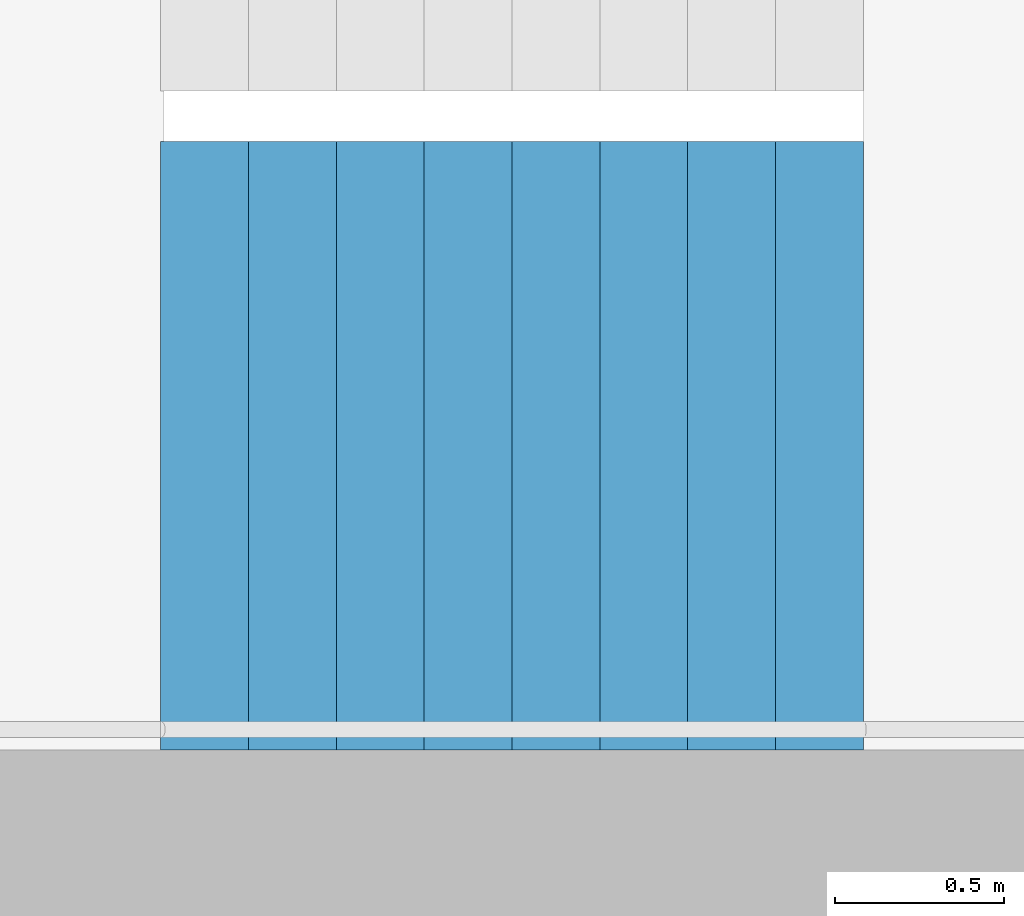
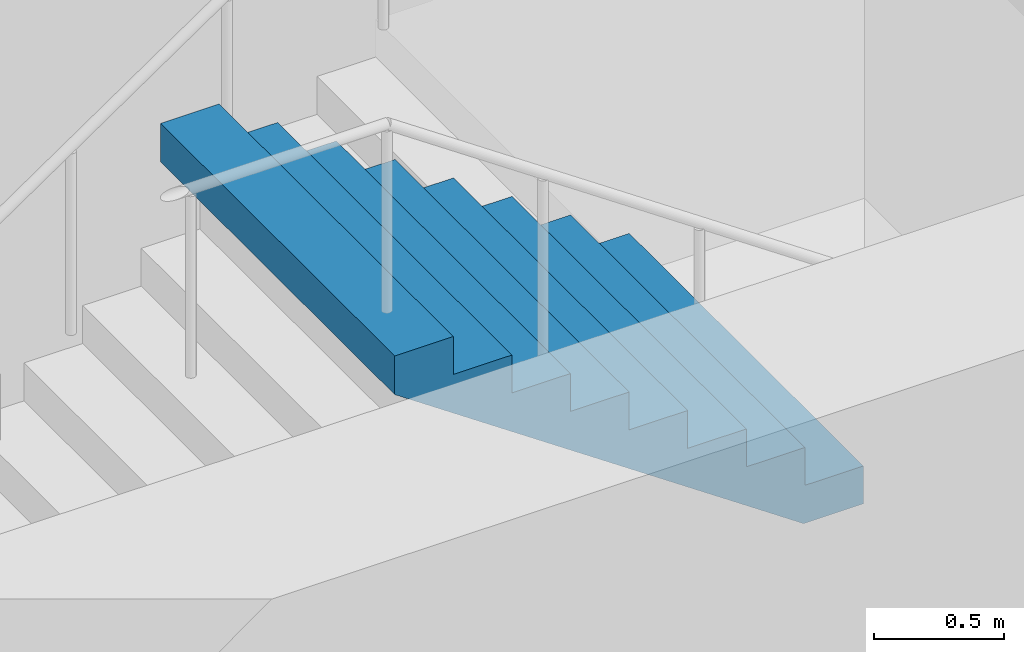
# One storey, part 24 of 34: 1 stair flight, 1 element without a shape of its own.
"""IFC4 building model written with IfcOpenShell, lengths in metres."""

from ifc_helpers import new_model, si_unit, direction, frame, origin, place, context, subcontext, project, spatial, triangles, material, type_object, element, aggregate, save


model = new_model("IFC4")

# Units and contexts
model_context = context("Model", 3, precision=1e-05, world=origin(), true_north=direction((0.0, 1.0)))
body_context = subcontext(model_context, "Body", "Model", "MODEL_VIEW")
ifc_project = project(units=[si_unit("LENGTHUNIT", "METRE"), si_unit("AREAUNIT", "SQUARE_METRE"), si_unit("VOLUMEUNIT", "CUBIC_METRE"), si_unit("PLANEANGLEUNIT", "RADIAN"), si_unit("MASSUNIT", "GRAM", prefix="KILO")], contexts=[model_context])

# Site, building, storey
site_placement = place(None, origin())
site = spatial("IfcSite", under=ifc_project, at=site_placement, CompositionType="ELEMENT")
building_placement = place(site_placement, origin())
building = spatial("IfcBuilding", under=site, at=building_placement, Name="Hakoniwa Tower and Hamabe Station Hall", CompositionType="ELEMENT")
storey_placement = place(building_placement, frame((0.0, 0.0, 94.60009765625)))
storey = spatial("IfcBuildingStorey", under=building, at=storey_placement, Name="L26", CompositionType="ELEMENT", Elevation=94.60009765625)

# Stair, stair flight
ifc_material_1 = material(Name="Concrete C40", Category="concrete")
stair_type = type_object("IfcStairType", Name="ESCAPE STAIR 1800", PredefinedType="HALF_TURN_STAIR", material=ifc_material_1)
stair_placement = place(storey_placement, origin())
stair = element("IfcStair", 1, at=stair_placement, inside=storey, type_object=stair_type, Name="Escape stair ST-4 L26", PredefinedType="HALF_TURN_STAIR")
ifc_material_2 = material(Name="Concrete C40", Category="concrete")
stair_flight_type = type_object("IfcStairFlightType", Name="STAIR FLIGHT 1800", PredefinedType="STRAIGHT", material=ifc_material_2)
stair_flight_placement = place(storey_placement, frame((25.47998046875, -6.60009765625, 1.599853515625), z_axis=(0.0, 0.0, 1.0), x_axis=(-1.0, 0.0, 0.0)))
stair_flight = element("IfcStairFlight", 2, at=stair_flight_placement, type_object=stair_flight_type, Name="ST-4 flight 2", NumberOfRisers=9, NumberOfTreads=8, PredefinedType="STRAIGHT", RiserHeight=0.177777778, TreadLength=0.26, context=body_context, shape_type="Tessellation", body=[
    triangles([(0.0, 0.89990234375, 0.0), (0.260009765625, 0.89990234375, 0.0), (0.265625, 0.89990234375, 0.0), (0.52001953125, 0.89990234375, 0.174072265625), (0.780029296875, 0.89990234375, 0.351806640625), (1.0400390625, 0.89990234375, 0.529541015625), (1.300048828125, 0.89990234375, 0.707275390625), (1.56005859375, 0.89990234375, 0.885009765625), (1.820068359375, 0.89990234375, 1.062744140625), (2.080078125, 0.89990234375, 1.24072265625), (2.080078125, 0.89990234375, 1.422119140625), (1.820068359375, 0.89990234375, 1.422119140625), (1.820068359375, 0.89990234375, 1.244384765625), (1.56005859375, 0.89990234375, 1.244384765625), (1.56005859375, 0.89990234375, 1.066650390625), (1.300048828125, 0.89990234375, 1.066650390625), (1.300048828125, 0.89990234375, 0.888916015625), (1.0400390625, 0.89990234375, 0.888916015625), (1.0400390625, 0.89990234375, 0.711181640625), (0.780029296875, 0.89990234375, 0.711181640625), (0.780029296875, 0.89990234375, 0.533447265625), (0.52001953125, 0.89990234375, 0.533447265625), (0.52001953125, 0.89990234375, 0.35546875), (0.265625, 0.89990234375, 0.35546875), (0.260009765625, 0.89990234375, 0.35546875), (0.260009765625, 0.89990234375, 0.177734375), (0.0, 0.89990234375, 0.177734375), (0.0, 0.06005859375, 0.0), (0.260009765625, 0.06005859375, 0.0), (0.265625, 0.06005859375, 0.0), (0.52001953125, 0.06005859375, 0.174072265625), (0.780029296875, 0.06005859375, 0.351806640625), (1.0400390625, 0.06005859375, 0.529541015625), (1.300048828125, 0.06005859375, 0.707275390625), (1.56005859375, 0.06005859375, 0.885009765625), (1.820068359375, 0.06005859375, 1.062744140625), (2.080078125, 0.06005859375, 1.24072265625), (2.080078125, 0.06005859375, 1.422119140625), (1.820068359375, 0.06005859375, 1.422119140625), (1.820068359375, 0.06005859375, 1.244384765625), (1.56005859375, 0.06005859375, 1.244384765625), (1.56005859375, 0.06005859375, 1.066650390625), (1.300048828125, 0.06005859375, 1.066650390625), (1.300048828125, 0.06005859375, 0.888916015625), (1.0400390625, 0.06005859375, 0.888916015625), (1.0400390625, 0.06005859375, 0.711181640625), (0.780029296875, 0.06005859375, 0.711181640625), (0.780029296875, 0.06005859375, 0.533447265625), (0.52001953125, 0.06005859375, 0.533447265625), (0.52001953125, 0.06005859375, 0.35546875), (0.265625, 0.06005859375, 0.35546875), (0.260009765625, 0.06005859375, 0.35546875), (0.260009765625, 0.06005859375, 0.177734375), (0.0, 0.06005859375, 0.177734375), (0.0, 0.04296875, 0.0), (0.260009765625, 0.04296875, 0.0), (0.265625, 0.04296875, 0.0), (0.52001953125, 0.04296875, 0.174072265625), (0.780029296875, 0.04296875, 0.351806640625), (1.0400390625, 0.04296875, 0.529541015625), (1.300048828125, 0.04296875, 0.707275390625), (1.56005859375, 0.04296875, 0.885009765625), (1.820068359375, 0.04296875, 1.062744140625), (2.080078125, 0.04296875, 1.24072265625), (2.080078125, 0.04296875, 1.422119140625), (1.820068359375, 0.04296875, 1.422119140625), (1.820068359375, 0.04296875, 1.244384765625), (1.56005859375, 0.04296875, 1.244384765625), (1.56005859375, 0.04296875, 1.066650390625), (1.300048828125, 0.04296875, 1.066650390625), (1.300048828125, 0.04296875, 0.888916015625), (1.0400390625, 0.04296875, 0.888916015625), (1.0400390625, 0.04296875, 0.711181640625), (0.780029296875, 0.04296875, 0.711181640625), (0.780029296875, 0.04296875, 0.533447265625), (0.52001953125, 0.04296875, 0.533447265625), (0.52001953125, 0.04296875, 0.35546875), (0.265625, 0.04296875, 0.35546875), (0.260009765625, 0.04296875, 0.35546875), (0.260009765625, 0.04296875, 0.177734375), (0.0, 0.04296875, 0.177734375), (0.0, 0.025634765625, 0.0), (0.260009765625, 0.025634765625, 0.0), (0.265625, 0.025634765625, 0.0), (0.52001953125, 0.025634765625, 0.174072265625), (0.780029296875, 0.025634765625, 0.351806640625), (1.0400390625, 0.025634765625, 0.529541015625), (1.300048828125, 0.025634765625, 0.707275390625), (1.56005859375, 0.025634765625, 0.885009765625), (1.820068359375, 0.025634765625, 1.062744140625), (2.080078125, 0.025634765625, 1.24072265625), (2.080078125, 0.025634765625, 1.422119140625), (1.820068359375, 0.025634765625, 1.422119140625), (1.820068359375, 0.025634765625, 1.244384765625), (1.56005859375, 0.025634765625, 1.244384765625), (1.56005859375, 0.025634765625, 1.066650390625), (1.300048828125, 0.025634765625, 1.066650390625), (1.300048828125, 0.025634765625, 0.888916015625), (1.0400390625, 0.025634765625, 0.888916015625), (1.0400390625, 0.025634765625, 0.711181640625), (0.780029296875, 0.025634765625, 0.711181640625), (0.780029296875, 0.025634765625, 0.533447265625), (0.52001953125, 0.025634765625, 0.533447265625), (0.52001953125, 0.025634765625, 0.35546875), (0.265625, 0.025634765625, 0.35546875), (0.260009765625, 0.025634765625, 0.35546875), (0.260009765625, 0.025634765625, 0.177734375), (0.0, 0.025634765625, 0.177734375), (0.0, 0.008544921875, 0.0), (0.260009765625, 0.008544921875, 0.0), (0.265625, 0.008544921875, 0.0), (0.52001953125, 0.008544921875, 0.174072265625), (0.780029296875, 0.008544921875, 0.351806640625), (1.0400390625, 0.008544921875, 0.529541015625), (1.300048828125, 0.008544921875, 0.707275390625), (1.56005859375, 0.008544921875, 0.885009765625), (1.820068359375, 0.008544921875, 1.062744140625), (2.080078125, 0.008544921875, 1.24072265625), (2.080078125, 0.008544921875, 1.422119140625), (1.820068359375, 0.008544921875, 1.422119140625), (1.820068359375, 0.008544921875, 1.244384765625), (1.56005859375, 0.008544921875, 1.244384765625), (1.56005859375, 0.008544921875, 1.066650390625), (1.300048828125, 0.008544921875, 1.066650390625), (1.300048828125, 0.008544921875, 0.888916015625), (1.0400390625, 0.008544921875, 0.888916015625), (1.0400390625, 0.008544921875, 0.711181640625), (0.780029296875, 0.008544921875, 0.711181640625), (0.780029296875, 0.008544921875, 0.533447265625), (0.52001953125, 0.008544921875, 0.533447265625), (0.52001953125, 0.008544921875, 0.35546875), (0.265625, 0.008544921875, 0.35546875), (0.260009765625, 0.008544921875, 0.35546875), (0.260009765625, 0.008544921875, 0.177734375), (0.0, 0.008544921875, 0.177734375), (0.0, -0.008544921875, 0.0), (0.260009765625, -0.008544921875, 0.0), (0.265625, -0.008544921875, 0.0), (0.52001953125, -0.008544921875, 0.174072265625), (0.780029296875, -0.008544921875, 0.351806640625), (1.0400390625, -0.008544921875, 0.529541015625), (1.300048828125, -0.008544921875, 0.707275390625), (1.56005859375, -0.008544921875, 0.885009765625), (1.820068359375, -0.008544921875, 1.062744140625), (2.080078125, -0.008544921875, 1.24072265625), (2.080078125, -0.008544921875, 1.422119140625), (1.820068359375, -0.008544921875, 1.422119140625), (1.820068359375, -0.008544921875, 1.244384765625), (1.56005859375, -0.008544921875, 1.244384765625), (1.56005859375, -0.008544921875, 1.066650390625), (1.300048828125, -0.008544921875, 1.066650390625), (1.300048828125, -0.008544921875, 0.888916015625), (1.0400390625, -0.008544921875, 0.888916015625), (1.0400390625, -0.008544921875, 0.711181640625), (0.780029296875, -0.008544921875, 0.711181640625), (0.780029296875, -0.008544921875, 0.533447265625), (0.52001953125, -0.008544921875, 0.533447265625), (0.52001953125, -0.008544921875, 0.35546875), (0.265625, -0.008544921875, 0.35546875), (0.260009765625, -0.008544921875, 0.35546875), (0.260009765625, -0.008544921875, 0.177734375), (0.0, -0.008544921875, 0.177734375), (0.0, -0.025634765625, 0.0), (0.260009765625, -0.025634765625, 0.0), (0.265625, -0.025634765625, 0.0), (0.52001953125, -0.025634765625, 0.174072265625), (0.780029296875, -0.025634765625, 0.351806640625), (1.0400390625, -0.025634765625, 0.529541015625), (1.300048828125, -0.025634765625, 0.707275390625), (1.56005859375, -0.025634765625, 0.885009765625), (1.820068359375, -0.025634765625, 1.062744140625), (2.080078125, -0.025634765625, 1.24072265625), (2.080078125, -0.025634765625, 1.422119140625), (1.820068359375, -0.025634765625, 1.422119140625), (1.820068359375, -0.025634765625, 1.244384765625), (1.56005859375, -0.025634765625, 1.244384765625), (1.56005859375, -0.025634765625, 1.066650390625), (1.300048828125, -0.025634765625, 1.066650390625), (1.300048828125, -0.025634765625, 0.888916015625), (1.0400390625, -0.025634765625, 0.888916015625), (1.0400390625, -0.025634765625, 0.711181640625), (0.780029296875, -0.025634765625, 0.711181640625), (0.780029296875, -0.025634765625, 0.533447265625), (0.52001953125, -0.025634765625, 0.533447265625), (0.52001953125, -0.025634765625, 0.35546875), (0.265625, -0.025634765625, 0.35546875), (0.260009765625, -0.025634765625, 0.35546875), (0.260009765625, -0.025634765625, 0.177734375), (0.0, -0.025634765625, 0.177734375), (0.0, -0.04296875, 0.0), (0.260009765625, -0.04296875, 0.0), (0.265625, -0.04296875, 0.0), (0.52001953125, -0.04296875, 0.174072265625), (0.780029296875, -0.04296875, 0.351806640625), (1.0400390625, -0.04296875, 0.529541015625), (1.300048828125, -0.04296875, 0.707275390625), (1.56005859375, -0.04296875, 0.885009765625), (1.820068359375, -0.04296875, 1.062744140625), (2.080078125, -0.04296875, 1.24072265625), (2.080078125, -0.04296875, 1.422119140625), (1.820068359375, -0.04296875, 1.422119140625), (1.820068359375, -0.04296875, 1.244384765625), (1.56005859375, -0.04296875, 1.244384765625), (1.56005859375, -0.04296875, 1.066650390625), (1.300048828125, -0.04296875, 1.066650390625), (1.300048828125, -0.04296875, 0.888916015625), (1.0400390625, -0.04296875, 0.888916015625), (1.0400390625, -0.04296875, 0.711181640625), (0.780029296875, -0.04296875, 0.711181640625), (0.780029296875, -0.04296875, 0.533447265625), (0.52001953125, -0.04296875, 0.533447265625), (0.52001953125, -0.04296875, 0.35546875), (0.265625, -0.04296875, 0.35546875), (0.260009765625, -0.04296875, 0.35546875), (0.260009765625, -0.04296875, 0.177734375), (0.0, -0.04296875, 0.177734375), (0.0, -0.06005859375, 0.0), (0.260009765625, -0.06005859375, 0.0), (0.265625, -0.06005859375, 0.0), (0.52001953125, -0.06005859375, 0.174072265625), (0.780029296875, -0.06005859375, 0.351806640625), (1.0400390625, -0.06005859375, 0.529541015625), (1.300048828125, -0.06005859375, 0.707275390625), (1.56005859375, -0.06005859375, 0.885009765625), (1.820068359375, -0.06005859375, 1.062744140625), (2.080078125, -0.06005859375, 1.24072265625), (2.080078125, -0.06005859375, 1.422119140625), (1.820068359375, -0.06005859375, 1.422119140625), (1.820068359375, -0.06005859375, 1.244384765625), (1.56005859375, -0.06005859375, 1.244384765625), (1.56005859375, -0.06005859375, 1.066650390625), (1.300048828125, -0.06005859375, 1.066650390625), (1.300048828125, -0.06005859375, 0.888916015625), (1.0400390625, -0.06005859375, 0.888916015625), (1.0400390625, -0.06005859375, 0.711181640625), (0.780029296875, -0.06005859375, 0.711181640625), (0.780029296875, -0.06005859375, 0.533447265625), (0.52001953125, -0.06005859375, 0.533447265625), (0.52001953125, -0.06005859375, 0.35546875), (0.265625, -0.06005859375, 0.35546875), (0.260009765625, -0.06005859375, 0.35546875), (0.260009765625, -0.06005859375, 0.177734375), (0.0, -0.06005859375, 0.177734375), (0.0, -0.89990234375, 0.0), (0.260009765625, -0.89990234375, 0.0), (0.265625, -0.89990234375, 0.0), (0.52001953125, -0.89990234375, 0.174072265625), (0.780029296875, -0.89990234375, 0.351806640625), (1.0400390625, -0.89990234375, 0.529541015625), (1.300048828125, -0.89990234375, 0.707275390625), (1.56005859375, -0.89990234375, 0.885009765625), (1.820068359375, -0.89990234375, 1.062744140625), (2.080078125, -0.89990234375, 1.24072265625), (2.080078125, -0.89990234375, 1.422119140625), (1.820068359375, -0.89990234375, 1.422119140625), (1.820068359375, -0.89990234375, 1.244384765625), (1.56005859375, -0.89990234375, 1.244384765625), (1.56005859375, -0.89990234375, 1.066650390625), (1.300048828125, -0.89990234375, 1.066650390625), (1.300048828125, -0.89990234375, 0.888916015625), (1.0400390625, -0.89990234375, 0.888916015625), (1.0400390625, -0.89990234375, 0.711181640625), (0.780029296875, -0.89990234375, 0.711181640625), (0.780029296875, -0.89990234375, 0.533447265625), (0.52001953125, -0.89990234375, 0.533447265625), (0.52001953125, -0.89990234375, 0.35546875), (0.265625, -0.89990234375, 0.35546875), (0.260009765625, -0.89990234375, 0.35546875), (0.260009765625, -0.89990234375, 0.177734375), (0.0, -0.89990234375, 0.177734375)], [[2, 27, 26], [245, 269, 270], [2, 1, 27], [245, 270, 244], [3, 25, 24], [246, 267, 268], [3, 26, 25], [246, 268, 269], [3, 2, 26], [246, 269, 245], [4, 24, 23], [247, 266, 267], [4, 3, 24], [247, 267, 246], [5, 22, 21], [248, 264, 265], [5, 23, 22], [248, 265, 266], [5, 4, 23], [248, 266, 247], [6, 20, 19], [249, 262, 263], [6, 21, 20], [249, 263, 264], [6, 5, 21], [249, 264, 248], [7, 18, 17], [250, 260, 261], [7, 19, 18], [250, 261, 262], [7, 6, 19], [250, 262, 249], [8, 16, 15], [251, 258, 259], [8, 17, 16], [251, 259, 260], [8, 7, 17], [251, 260, 250], [9, 14, 13], [252, 256, 257], [9, 15, 14], [252, 257, 258], [9, 8, 15], [252, 258, 251], [10, 12, 11], [253, 254, 255], [10, 13, 12], [253, 255, 256], [10, 9, 13], [253, 256, 252], [1, 2, 29], [1, 29, 28], [28, 29, 56], [28, 56, 55], [55, 56, 83], [55, 83, 82], [82, 83, 110], [82, 110, 109], [109, 110, 137], [109, 137, 136], [136, 137, 164], [136, 164, 163], [163, 164, 191], [163, 191, 190], [190, 191, 218], [190, 218, 217], [217, 218, 245], [217, 245, 244], [2, 3, 30], [2, 30, 29], [29, 30, 57], [29, 57, 56], [56, 57, 84], [56, 84, 83], [83, 84, 111], [83, 111, 110], [110, 111, 138], [110, 138, 137], [137, 138, 165], [137, 165, 164], [164, 165, 192], [164, 192, 191], [191, 192, 219], [191, 219, 218], [218, 219, 246], [218, 246, 245], [3, 4, 31], [3, 31, 30], [30, 31, 58], [30, 58, 57], [57, 58, 85], [57, 85, 84], [84, 85, 112], [84, 112, 111], [111, 112, 139], [111, 139, 138], [138, 139, 166], [138, 166, 165], [165, 166, 193], [165, 193, 192], [192, 193, 220], [192, 220, 219], [219, 220, 247], [219, 247, 246], [4, 5, 32], [4, 32, 31], [31, 32, 59], [31, 59, 58], [58, 59, 86], [58, 86, 85], [85, 86, 113], [85, 113, 112], [112, 113, 140], [112, 140, 139], [139, 140, 167], [139, 167, 166], [166, 167, 194], [166, 194, 193], [193, 194, 221], [193, 221, 220], [220, 221, 248], [220, 248, 247], [5, 6, 33], [5, 33, 32], [32, 33, 60], [32, 60, 59], [59, 60, 87], [59, 87, 86], [86, 87, 114], [86, 114, 113], [113, 114, 141], [113, 141, 140], [140, 141, 168], [140, 168, 167], [167, 168, 195], [167, 195, 194], [194, 195, 222], [194, 222, 221], [221, 222, 249], [221, 249, 248], [6, 7, 34], [6, 34, 33], [33, 34, 61], [33, 61, 60], [60, 61, 88], [60, 88, 87], [87, 88, 115], [87, 115, 114], [114, 115, 142], [114, 142, 141], [141, 142, 169], [141, 169, 168], [168, 169, 196], [168, 196, 195], [195, 196, 223], [195, 223, 222], [222, 223, 250], [222, 250, 249], [7, 8, 35], [7, 35, 34], [34, 35, 62], [34, 62, 61], [61, 62, 89], [61, 89, 88], [88, 89, 116], [88, 116, 115], [115, 116, 143], [115, 143, 142], [142, 143, 170], [142, 170, 169], [169, 170, 197], [169, 197, 196], [196, 197, 224], [196, 224, 223], [223, 224, 251], [223, 251, 250], [8, 9, 36], [8, 36, 35], [35, 36, 63], [35, 63, 62], [62, 63, 90], [62, 90, 89], [89, 90, 117], [89, 117, 116], [116, 117, 144], [116, 144, 143], [143, 144, 171], [143, 171, 170], [170, 171, 198], [170, 198, 197], [197, 198, 225], [197, 225, 224], [224, 225, 252], [224, 252, 251], [9, 10, 37], [9, 37, 36], [36, 37, 64], [36, 64, 63], [63, 64, 91], [63, 91, 90], [90, 91, 118], [90, 118, 117], [117, 118, 145], [117, 145, 144], [144, 145, 172], [144, 172, 171], [171, 172, 199], [171, 199, 198], [198, 199, 226], [198, 226, 225], [225, 226, 253], [225, 253, 252], [10, 11, 38], [10, 38, 37], [37, 38, 65], [37, 65, 64], [64, 65, 92], [64, 92, 91], [91, 92, 119], [91, 119, 118], [118, 119, 146], [118, 146, 145], [145, 146, 173], [145, 173, 172], [172, 173, 200], [172, 200, 199], [199, 200, 227], [199, 227, 226], [226, 227, 254], [226, 254, 253], [11, 12, 39], [11, 39, 38], [38, 39, 66], [38, 66, 65], [65, 66, 93], [65, 93, 92], [92, 93, 120], [92, 120, 119], [119, 120, 147], [119, 147, 146], [146, 147, 174], [146, 174, 173], [173, 174, 201], [173, 201, 200], [200, 201, 228], [200, 228, 227], [227, 228, 255], [227, 255, 254], [12, 13, 40], [12, 40, 39], [39, 40, 67], [39, 67, 66], [66, 67, 94], [66, 94, 93], [93, 94, 121], [93, 121, 120], [120, 121, 148], [120, 148, 147], [147, 148, 175], [147, 175, 174], [174, 175, 202], [174, 202, 201], [201, 202, 229], [201, 229, 228], [228, 229, 256], [228, 256, 255], [13, 14, 41], [13, 41, 40], [40, 41, 68], [40, 68, 67], [67, 68, 95], [67, 95, 94], [94, 95, 122], [94, 122, 121], [121, 122, 149], [121, 149, 148], [148, 149, 176], [148, 176, 175], [175, 176, 203], [175, 203, 202], [202, 203, 230], [202, 230, 229], [229, 230, 257], [229, 257, 256], [14, 15, 42], [14, 42, 41], [41, 42, 69], [41, 69, 68], [68, 69, 96], [68, 96, 95], [95, 96, 123], [95, 123, 122], [122, 123, 150], [122, 150, 149], [149, 150, 177], [149, 177, 176], [176, 177, 204], [176, 204, 203], [203, 204, 231], [203, 231, 230], [230, 231, 258], [230, 258, 257], [15, 16, 43], [15, 43, 42], [42, 43, 70], [42, 70, 69], [69, 70, 97], [69, 97, 96], [96, 97, 124], [96, 124, 123], [123, 124, 151], [123, 151, 150], [150, 151, 178], [150, 178, 177], [177, 178, 205], [177, 205, 204], [204, 205, 232], [204, 232, 231], [231, 232, 259], [231, 259, 258], [16, 17, 44], [16, 44, 43], [43, 44, 71], [43, 71, 70], [70, 71, 98], [70, 98, 97], [97, 98, 125], [97, 125, 124], [124, 125, 152], [124, 152, 151], [151, 152, 179], [151, 179, 178], [178, 179, 206], [178, 206, 205], [205, 206, 233], [205, 233, 232], [232, 233, 260], [232, 260, 259], [17, 18, 45], [17, 45, 44], [44, 45, 72], [44, 72, 71], [71, 72, 99], [71, 99, 98], [98, 99, 126], [98, 126, 125], [125, 126, 153], [125, 153, 152], [152, 153, 180], [152, 180, 179], [179, 180, 207], [179, 207, 206], [206, 207, 234], [206, 234, 233], [233, 234, 261], [233, 261, 260], [18, 19, 46], [18, 46, 45], [45, 46, 73], [45, 73, 72], [72, 73, 100], [72, 100, 99], [99, 100, 127], [99, 127, 126], [126, 127, 154], [126, 154, 153], [153, 154, 181], [153, 181, 180], [180, 181, 208], [180, 208, 207], [207, 208, 235], [207, 235, 234], [234, 235, 262], [234, 262, 261], [19, 20, 47], [19, 47, 46], [46, 47, 74], [46, 74, 73], [73, 74, 101], [73, 101, 100], [100, 101, 128], [100, 128, 127], [127, 128, 155], [127, 155, 154], [154, 155, 182], [154, 182, 181], [181, 182, 209], [181, 209, 208], [208, 209, 236], [208, 236, 235], [235, 236, 263], [235, 263, 262], [20, 21, 48], [20, 48, 47], [47, 48, 75], [47, 75, 74], [74, 75, 102], [74, 102, 101], [101, 102, 129], [101, 129, 128], [128, 129, 156], [128, 156, 155], [155, 156, 183], [155, 183, 182], [182, 183, 210], [182, 210, 209], [209, 210, 237], [209, 237, 236], [236, 237, 264], [236, 264, 263], [21, 22, 49], [21, 49, 48], [48, 49, 76], [48, 76, 75], [75, 76, 103], [75, 103, 102], [102, 103, 130], [102, 130, 129], [129, 130, 157], [129, 157, 156], [156, 157, 184], [156, 184, 183], [183, 184, 211], [183, 211, 210], [210, 211, 238], [210, 238, 237], [237, 238, 265], [237, 265, 264], [22, 23, 50], [22, 50, 49], [49, 50, 77], [49, 77, 76], [76, 77, 104], [76, 104, 103], [103, 104, 131], [103, 131, 130], [130, 131, 158], [130, 158, 157], [157, 158, 185], [157, 185, 184], [184, 185, 212], [184, 212, 211], [211, 212, 239], [211, 239, 238], [238, 239, 266], [238, 266, 265], [23, 24, 51], [23, 51, 50], [50, 51, 78], [50, 78, 77], [77, 78, 105], [77, 105, 104], [104, 105, 132], [104, 132, 131], [131, 132, 159], [131, 159, 158], [158, 159, 186], [158, 186, 185], [185, 186, 213], [185, 213, 212], [212, 213, 240], [212, 240, 239], [239, 240, 267], [239, 267, 266], [24, 25, 52], [24, 52, 51], [51, 52, 79], [51, 79, 78], [78, 79, 106], [78, 106, 105], [105, 106, 133], [105, 133, 132], [132, 133, 160], [132, 160, 159], [159, 160, 187], [159, 187, 186], [186, 187, 214], [186, 214, 213], [213, 214, 241], [213, 241, 240], [240, 241, 268], [240, 268, 267], [25, 26, 53], [25, 53, 52], [52, 53, 80], [52, 80, 79], [79, 80, 107], [79, 107, 106], [106, 107, 134], [106, 134, 133], [133, 134, 161], [133, 161, 160], [160, 161, 188], [160, 188, 187], [187, 188, 215], [187, 215, 214], [214, 215, 242], [214, 242, 241], [241, 242, 269], [241, 269, 268], [26, 27, 54], [26, 54, 53], [53, 54, 81], [53, 81, 80], [80, 81, 108], [80, 108, 107], [107, 108, 135], [107, 135, 134], [134, 135, 162], [134, 162, 161], [161, 162, 189], [161, 189, 188], [188, 189, 216], [188, 216, 215], [215, 216, 243], [215, 243, 242], [242, 243, 270], [242, 270, 269], [27, 1, 28], [27, 28, 54], [54, 28, 55], [54, 55, 81], [81, 55, 82], [81, 82, 108], [108, 82, 109], [108, 109, 135], [135, 109, 136], [135, 136, 162], [162, 136, 163], [162, 163, 189], [189, 163, 190], [189, 190, 216], [216, 190, 217], [216, 217, 243], [243, 217, 244], [243, 244, 270]], closed=True),
])
aggregate(stair, [stair_flight])

save(model, "model.ifc")
